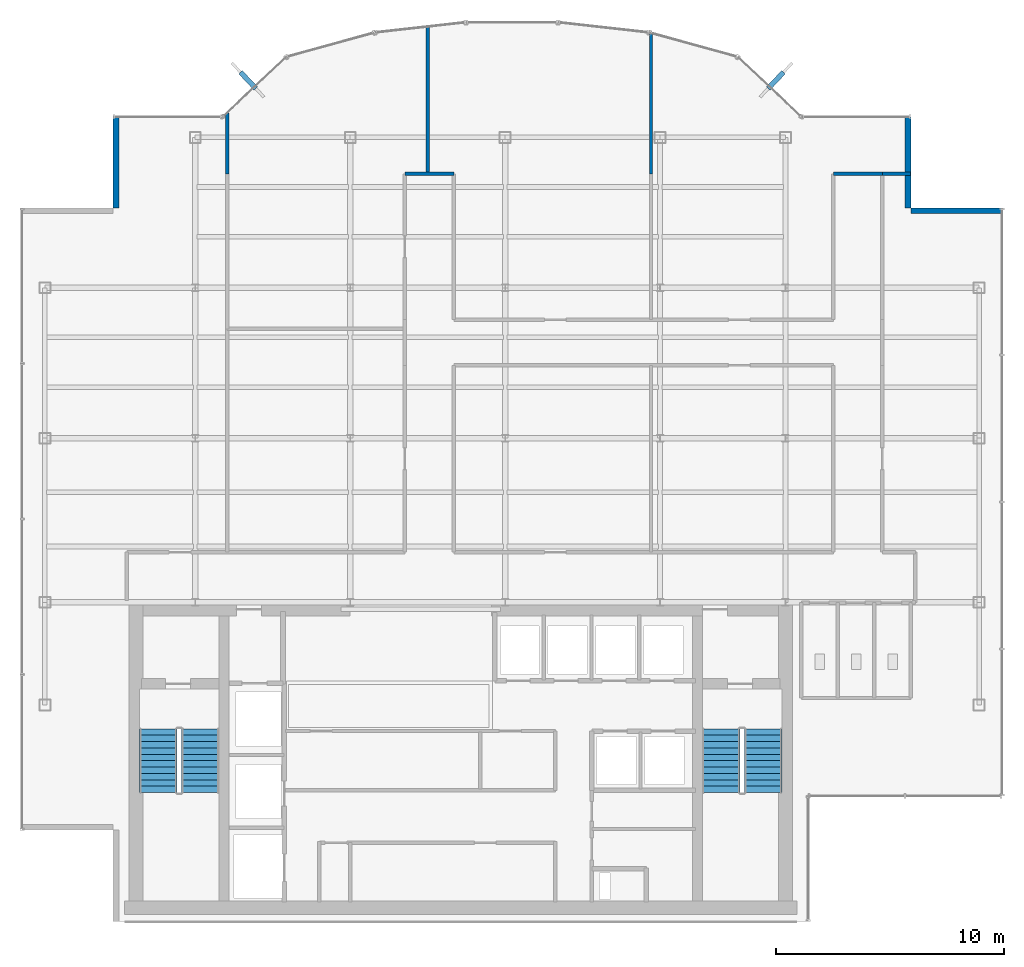
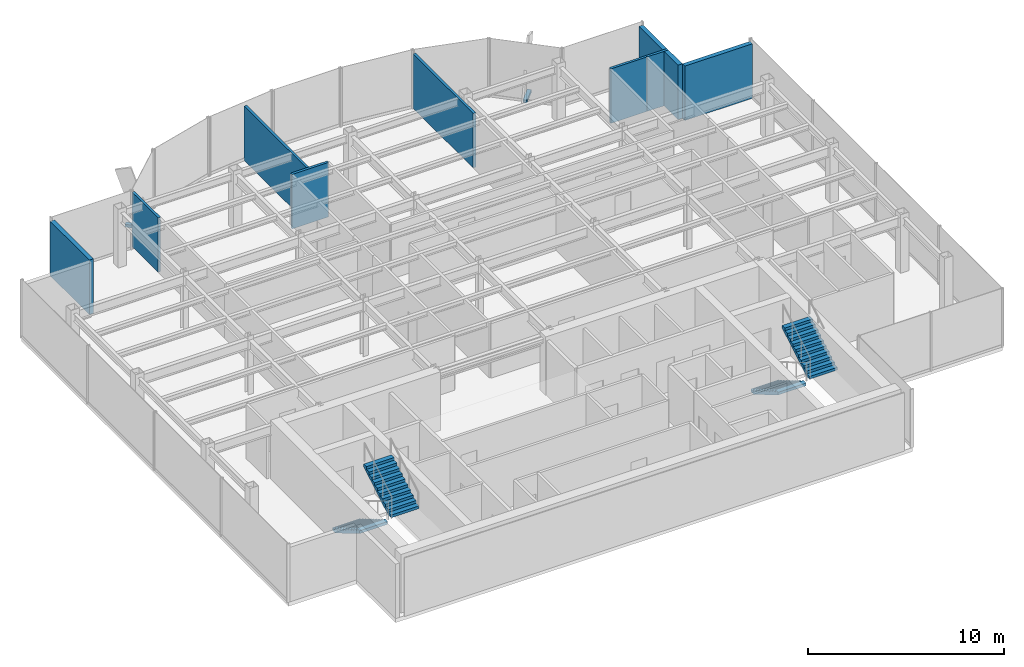
# One storey, part 19 of 22: 9 walls, 4 stair flights, 2 discrete accessories, 2 elements without a shape of their own.
"""IFC4 building model written with IfcOpenShell, lengths in metres."""

from ifc_helpers import new_model, si_unit, derived_unit, direction, frame, frame_2d, origin, origin_2d, place, context, subcontext, project, spatial, polyline, rectangle, outline, extrude, source, transform, mapped, material, layer, layer_set, type_object, element, aggregate, save


model = new_model("IFC4")

# Units and contexts
model_context = context("Model", 3, precision=1e-05, world=origin(), true_north=direction((0.0, 1.0)))
body_context = subcontext(model_context, "Body", "Model", "MODEL_VIEW")
ifc_project = project(units=[si_unit("LENGTHUNIT", "METRE"), si_unit("AREAUNIT", "SQUARE_METRE"), si_unit("VOLUMEUNIT", "CUBIC_METRE"), si_unit("PLANEANGLEUNIT", "RADIAN"), si_unit("MASSUNIT", "GRAM", prefix="KILO"), derived_unit("THERMALTRANSMITTANCEUNIT", [(si_unit("POWERUNIT", "WATT"), 1), (si_unit("LENGTHUNIT", "METRE"), -2), (si_unit("THERMODYNAMICTEMPERATUREUNIT", "KELVIN"), -1)])], contexts=[model_context])

# Site, building, storey
site_placement = place(None, origin())
site = spatial("IfcSite", under=ifc_project, at=site_placement, CompositionType="ELEMENT")
building_placement = place(site_placement, origin())
building = spatial("IfcBuilding", under=site, at=building_placement, Name="Skarnbrae Concourse Arena and Tower", CompositionType="ELEMENT")
storey_placement = place(building_placement, frame((0.0, 0.0, 258.800048828125)))
storey = spatial("IfcBuildingStorey", under=building, at=storey_placement, Name="L67", CompositionType="ELEMENT", Elevation=258.800048828125)

# Walls
ifc_material_1 = material(Name="Precast concrete 40 MPa (C40/50)", Category="concrete")
ifc_layer_1 = layer(ifc_material_1, 0.25)
ifc_layer_set_1 = layer_set([ifc_layer_1], Name="Precast concrete 40 MPa (C40/50)")
wall_type_1 = type_object("IfcWallType", Name="WALL-EXT-SPANDREL-250", PredefinedType="STANDARD", material=ifc_layer_set_1)
shared_shape_1 = source(origin(), body_context, "Body", "SweptSolid", [
    extrude(rectangle(XDim=4.0, YDim=0.25, at=frame_2d((2.0, 0.0))), origin(), (0.0, 0.0, 1.0), 3.39990234375),
])
for number, where, z_axis, x_axis, name in (
    (1, (43.0, 31.175048828125, 0.0), (0.0, 0.0, 1.0), (-1.0, 0.0, 0.0), "L67 Notched corner insulated return wall 05"),
    (2, (38.875, 31.300048828125, 0.0), (0.0, 0.0, 1.0), (0.0, 1.0, 0.0), "L67 Notched corner insulated return wall 06"),
    (3, (4.125, 35.300048828125, 0.0), (0.0, 0.0, 1.0), (0.0, -1.0, 0.0), "L67 Notched corner insulated return wall 16"),
):
    element("IfcWall", number, at=place(storey_placement, frame(where, z_axis=z_axis, x_axis=x_axis)), inside=storey, type_object=wall_type_1, Name=name, PredefinedType="STANDARD", context=body_context, shape_type="MappedRepresentation", body=[
        mapped(shared_shape_1, transform((0.0, 0.0, 0.0))),
    ])
ifc_material_2 = material(Name="Gypsum board on cold-formed steel studs", Category="steel")
ifc_layer_2 = layer(ifc_material_2, 0.14990234375)
ifc_layer_set_2 = layer_set([ifc_layer_2], Name="Gypsum board on cold-formed steel studs")
wall_type_2 = type_object("IfcWallType", Name="WALL-PART-150-1HR", PredefinedType="PARTITIONING", material=ifc_layer_set_2)
shared_shape_2 = source(origin(), body_context, "Body", "SweptSolid", [
    extrude(rectangle(XDim=2.14990234375, YDim=0.14990234375, at=frame_2d((1.074951171875, 0.0))), origin(), (0.0, 0.0, 1.0), 3.39990234375),
])
for number, where, z_axis, x_axis, name in (
    (4, (16.800048828125, 32.800048828125, 0.0), (0.0, 0.0, 1.0), (1.0, 0.0, 0.0), "L67 Interior partition wall W-L67-COR-06"),
    (5, (35.60009765625, 32.800048828125, 0.0), (0.0, 0.0, 1.0), (1.0, 0.0, 0.0), "L67 Interior partition wall W-L67-COR-10"),
):
    element("IfcWall", number, at=place(storey_placement, frame(where, z_axis=z_axis, x_axis=x_axis)), inside=storey, type_object=wall_type_2, Name=name, PredefinedType="PARTITIONING", context=body_context, shape_type="MappedRepresentation", body=[
        mapped(shared_shape_2, transform((0.0, 0.0, 0.0))),
    ])
ifc_layer_3 = layer(ifc_material_2, 0.14990234375)
ifc_layer_set_3 = layer_set([ifc_layer_3], Name="Gypsum board on cold-formed steel studs")
wall_type_3 = type_object("IfcWallType", Name="WALL-PART-150", PredefinedType="PARTITIONING", material=ifc_layer_set_3)
shared_shape_3 = source(origin(), body_context, "Body", "SweptSolid", [
    extrude(rectangle(XDim=2.66064453125, YDim=0.14990234375, at=frame_2d((1.330322265625, 0.0))), origin(), (0.0, 0.0, 1.0), 3.39990234375),
])
wall_1_placement = place(storey_placement, frame((9.0, 35.460693359375, 0.0), z_axis=(0.0, 0.0, 1.0), x_axis=(0.0, -1.0, 0.0)))
element("IfcWall", 6, at=wall_1_placement, inside=storey, type_object=wall_type_3, Name="L67 Interior partition wall W-L67-DEM-23", PredefinedType="PARTITIONING", context=body_context, shape_type="MappedRepresentation", body=[
    mapped(shared_shape_3, transform((0.0, 0.0, 0.0))),
])
shared_shape_4 = source(origin(), body_context, "Body", "SweptSolid", [
    extrude(rectangle(XDim=6.437744140625, YDim=0.14990234375, at=frame_2d((3.21875, 0.0))), origin(), (0.0, 0.0, 1.0), 3.39990234375),
])
wall_2_placement = place(storey_placement, frame((17.800048828125, 39.23779296875, 0.0), z_axis=(0.0, 0.0, 1.0), x_axis=(0.0, -1.0, 0.0)))
element("IfcWall", 7, at=wall_2_placement, inside=storey, type_object=wall_type_3, Name="L67 Interior partition wall W-L67-DEM-25", PredefinedType="PARTITIONING", context=body_context, shape_type="MappedRepresentation", body=[
    mapped(shared_shape_4, transform((0.0, 0.0, 0.0))),
])
shared_shape_5 = source(origin(), body_context, "Body", "SweptSolid", [
    extrude(rectangle(XDim=6.15576171875, YDim=0.14990234375, at=frame_2d((3.077880859375, 0.0))), origin(), (0.0, 0.0, 1.0), 3.39990234375),
])
wall_3_placement = place(storey_placement, frame((27.60009765625, 38.955810546875, 0.0), z_axis=(0.0, 0.0, 1.0), x_axis=(0.0, -1.0, 0.0)))
element("IfcWall", 8, at=wall_3_placement, inside=storey, type_object=wall_type_3, Name="L67 Interior partition wall W-L67-DEM-27", PredefinedType="PARTITIONING", context=body_context, shape_type="MappedRepresentation", body=[
    mapped(shared_shape_5, transform((0.0, 0.0, 0.0))),
])
shared_shape_6 = source(origin(), body_context, "Body", "SweptSolid", [
    extrude(rectangle(XDim=1.22998046875, YDim=0.14990234375, at=frame_2d((0.614990234375, 0.0))), origin(), (0.0, 0.0, 1.0), 3.39990234375),
])
wall_4_placement = place(storey_placement, frame((38.97998046875, 32.800048828125, 0.0), z_axis=(0.0, 0.0, 1.0), x_axis=(-1.0, 0.0, 0.0)))
element("IfcWall", 9, at=wall_4_placement, inside=storey, type_object=wall_type_3, Name="L67 Interior partition wall W-L67-DEM-29", PredefinedType="PARTITIONING", context=body_context, shape_type="MappedRepresentation", body=[
    mapped(shared_shape_6, transform((0.0, 0.0, 0.0))),
])

# Stair, stair flights
ifc_material_3 = material(Name="Concrete 40 MPa (C40/50)", Category="concrete")
stair_type = type_object("IfcStairType", Name="STAIR-DOGLEG-1650", PredefinedType="HALF_TURN_STAIR", material=ifc_material_3)
stair_1_placement = place(storey_placement, origin())
stair_1 = element("IfcStair", 10, at=stair_1_placement, inside=storey, type_object=stair_type, Name="L67 Protected Exit Stair ST-1", PredefinedType="HALF_TURN_STAIR")
stair_flight_type = type_object("IfcStairFlightType", Name="FLIGHT-STRAIGHT-1650", PredefinedType="STRAIGHT", material=ifc_material_3)
shared_shape_7 = source(origin(), body_context, "Body", "SweptSolid", [
    extrude(outline(polyline([(0.0, 0.0), (0.0, 0.166015625), (0.280029296875, 0.166015625), (0.280029296875, 0.331787109375), (0.56005859375, 0.331787109375), (0.56005859375, 0.497802734375), (0.840087890625, 0.497802734375), (0.840087890625, 0.66357421875), (1.1201171875, 0.66357421875), (1.1201171875, 0.82958984375), (1.39990234375, 0.82958984375), (1.39990234375, 0.995361328125), (1.679931640625, 0.995361328125), (1.679931640625, 1.161376953125), (1.9599609375, 1.161376953125), (1.9599609375, 1.327392578125), (2.239990234375, 1.327392578125), (2.239990234375, 1.4931640625), (2.52001953125, 1.4931640625), (2.52001953125, 1.6591796875), (2.800048828125, 1.6591796875), (2.800048828125, 1.824951171875), (2.800048828125, 1.48486328125), (0.2939453125, 0.0), (0.0, 0.0)])), frame((0.0, 0.824951171875, 0.0), z_axis=(0.0, -1.0, 0.0), x_axis=(1.0, 0.0, 0.0)), (0.0, 0.0, 1.0), 1.64990234375),
])
stair_flight_1_placement = place(storey_placement, frame((5.97509765625, 8.449951171875, 0.0), z_axis=(0.0, 0.0, 1.0), x_axis=(0.0, -1.0, 0.0)))
stair_flight_1 = element("IfcStairFlight", 11, at=stair_flight_1_placement, type_object=stair_flight_type, Name="ST-1 flight 1", NumberOfRisers=11, NumberOfTreads=10, PredefinedType="STRAIGHT", RiserHeight=0.165909091, TreadLength=0.28, context=body_context, shape_type="MappedRepresentation", body=[
    mapped(shared_shape_7, transform((0.0, 0.0, 0.0))),
])
stair_flight_2_placement = place(storey_placement, frame((7.824951171875, 5.64990234375, 1.824951171875), z_axis=(0.0, 0.0, 1.0), x_axis=(0.0, 1.0, 0.0)))
stair_flight_2 = element("IfcStairFlight", 12, at=stair_flight_2_placement, type_object=stair_flight_type, Name="ST-1 flight 2", NumberOfRisers=11, NumberOfTreads=10, PredefinedType="STRAIGHT", RiserHeight=0.165909091, TreadLength=0.28, context=body_context, shape_type="MappedRepresentation", body=[
    mapped(shared_shape_7, transform((0.0, 0.0, 0.0))),
])
aggregate(stair_1, [stair_flight_1, stair_flight_2])

stair_2_placement = place(storey_placement, origin())
stair_2 = element("IfcStair", 13, at=stair_2_placement, inside=storey, type_object=stair_type, Name="L67 Protected Exit Stair ST-2", PredefinedType="HALF_TURN_STAIR")
stair_flight_3_placement = place(storey_placement, frame((30.675048828125, 8.449951171875, 0.0), z_axis=(0.0, 0.0, 1.0), x_axis=(0.0, -1.0, 0.0)))
stair_flight_3 = element("IfcStairFlight", 14, at=stair_flight_3_placement, type_object=stair_flight_type, Name="ST-2 flight 1", NumberOfRisers=11, NumberOfTreads=10, PredefinedType="STRAIGHT", RiserHeight=0.165909091, TreadLength=0.28, context=body_context, shape_type="MappedRepresentation", body=[
    mapped(shared_shape_7, transform((0.0, 0.0, 0.0))),
])
stair_flight_4_placement = place(storey_placement, frame((32.52490234375, 5.64990234375, 1.824951171875), z_axis=(0.0, 0.0, 1.0), x_axis=(0.0, 1.0, 0.0)))
stair_flight_4 = element("IfcStairFlight", 15, at=stair_flight_4_placement, type_object=stair_flight_type, Name="ST-2 flight 2", NumberOfRisers=11, NumberOfTreads=10, PredefinedType="STRAIGHT", RiserHeight=0.165909091, TreadLength=0.28, context=body_context, shape_type="MappedRepresentation", body=[
    mapped(shared_shape_7, transform((0.0, 0.0, 0.0))),
])
aggregate(stair_2, [stair_flight_3, stair_flight_4])

# Discrete accessories
ifc_material_4 = material(Name="Bronze anodised aluminium 6063-T6", Category="aluminium")
discrete_accessory_type = type_object("IfcDiscreteAccessoryType", Name="ACC-FIN-BRACKET", PredefinedType="BRACKET", material=ifc_material_4)
shared_shape_8 = source(origin(), body_context, "Body", "SweptSolid", [
    extrude(rectangle(XDim=0.219970703125, YDim=0.97998046875, at=origin_2d()), origin(), (0.0, 0.0, 1.0), 0.179931640625),
])
for number, where, z_axis, x_axis, name in (
    (16, (33.0791015625, 36.904541015625, -0.02978515625), (0.0, 0.0, 1.0), (0.728131751529, -0.685437198009, 0.0), "L67 Bronze fin foot support bracket 08"),
    (17, (9.9208984375, 36.904541015625, -0.02978515625), (0.0, 0.0, 1.0), (0.728131751529, 0.685437198009, 0.0), "L67 Bronze fin foot support bracket 14"),
):
    element("IfcDiscreteAccessory", number, at=place(storey_placement, frame(where, z_axis=z_axis, x_axis=x_axis)), inside=storey, type_object=discrete_accessory_type, Name=name, PredefinedType="BRACKET", context=body_context, shape_type="MappedRepresentation", body=[
        mapped(shared_shape_8, transform((0.0, 0.0, 0.0))),
    ])

save(model, "model.ifc")
